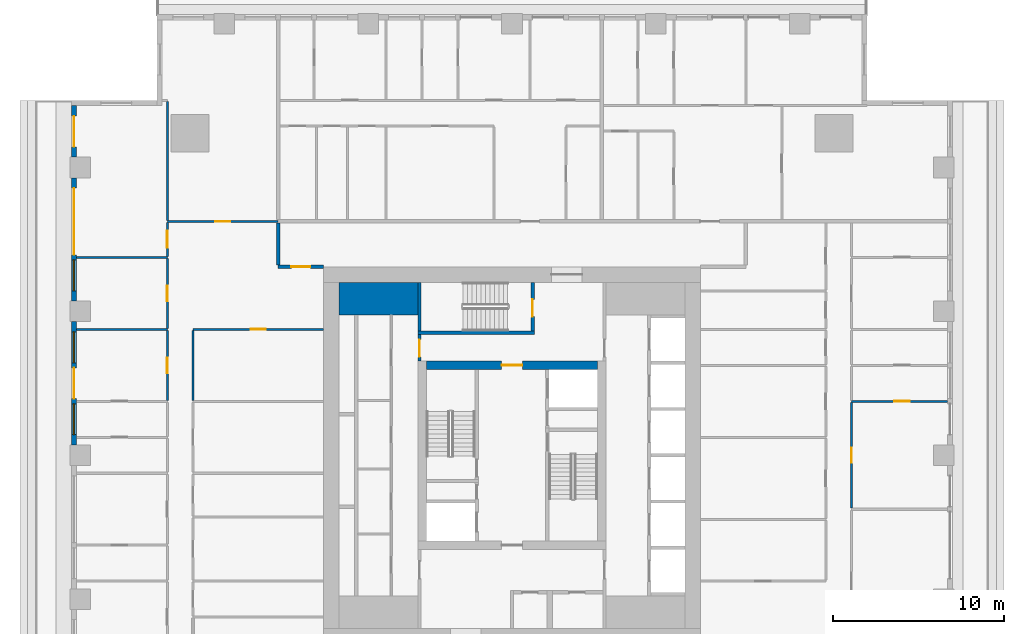
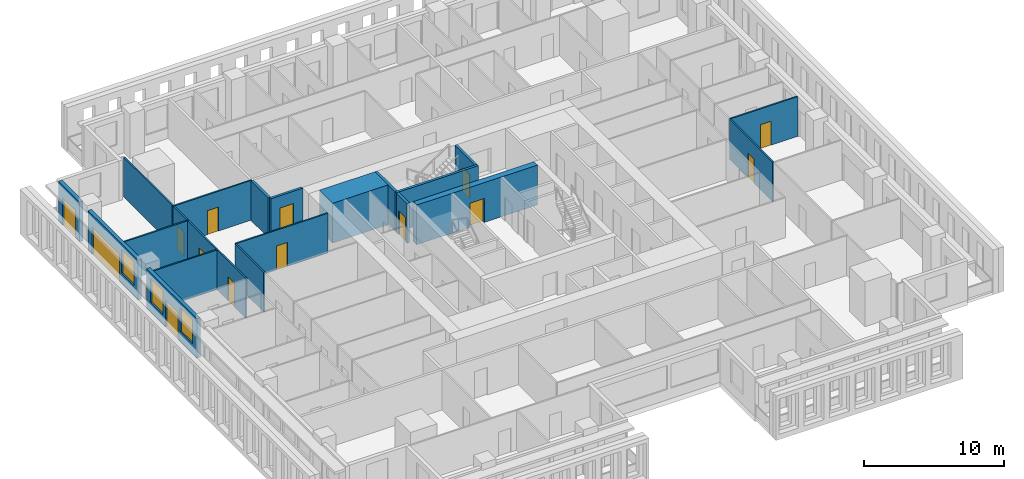
# One storey, part 6 of 15: 22 walls, 14 doors, 3 windows, 17 openings.
"""IFC4 building model written with IfcOpenShell, lengths in metres."""

from ifc_helpers import new_model, si_unit, direction, frame, frame_2d, origin, place, context, subcontext, project, spatial, rectangle, extrude, material, layer, layer_set, type_object, element, fill, save


model = new_model("IFC4")

# Units and contexts
model_context = context("Model", 3, precision=1e-05, world=origin(), true_north=direction((0.0, 1.0)))
body_context = subcontext(model_context, "Body", "Model", "MODEL_VIEW")
ifc_project = project(units=[si_unit("LENGTHUNIT", "METRE"), si_unit("AREAUNIT", "SQUARE_METRE"), si_unit("VOLUMEUNIT", "CUBIC_METRE"), si_unit("PLANEANGLEUNIT", "RADIAN"), si_unit("MASSUNIT", "GRAM", prefix="KILO")], contexts=[model_context])

# Site, building, storey
site_placement = place(None, origin())
site = spatial("IfcSite", under=ifc_project, at=site_placement, CompositionType="ELEMENT")
building_placement = place(site_placement, origin())
building = spatial("IfcBuilding", under=site, at=building_placement, Name="Khepri Terraces", CompositionType="ELEMENT")
storey_placement = place(building_placement, frame((0.0, 0.0, 252.300048828125)))
storey = spatial("IfcBuildingStorey", under=building, at=storey_placement, Name="L60", CompositionType="ELEMENT", Elevation=252.300048828125)

# Walls
ifc_material_1 = material(Name="Concrete C40/50", Category="concrete")
ifc_layer_1 = layer(ifc_material_1, 1.89990234375, Name="Concrete C40/50", Category="concrete")
ifc_layer_set_1 = layer_set([ifc_layer_1], Name="Concrete C40/50")
wall_type_1 = type_object("IfcWallType", Name="Core wall 1900 C40/50", PredefinedType="SHEAR", material=ifc_layer_set_1)
wall_1_placement = place(storey_placement, frame((-10.10009765625, 9.14990234375, 0.0), z_axis=(0.0, 0.0, 1.0), x_axis=(1.0, 0.0, 0.0)))
element("IfcWall", 1, at=wall_1_placement, inside=storey, type_object=wall_type_1, Name="Core wall PR03 L60", PredefinedType="SHEAR", context=body_context, shape_type="SweptSolid", body=[
    extrude(rectangle(XDim=4.60009765625, YDim=1.89990234375, at=frame_2d((2.300048828125, 0.0))), origin(), (0.0, 0.0, 1.0), 3.47998046875),
])
ifc_layer_2 = layer(ifc_material_1, 0.199951171875, Name="Concrete C40/50", Category="concrete")
ifc_layer_set_2 = layer_set([ifc_layer_2], Name="Concrete C40/50")
wall_type_2 = type_object("IfcWallType", Name="Core wall 200 C40/50", PredefinedType="SHEAR", material=ifc_layer_set_2)
wall_2_placement = place(storey_placement, frame((-5.5, 7.14990234375, 0.0), z_axis=(0.0, 0.0, 1.0), x_axis=(1.0, 0.0, 0.0)))
element("IfcWall", 2, at=wall_2_placement, inside=storey, type_object=wall_type_2, Name="Core wall ST05 L60", PredefinedType="SHEAR", context=body_context, shape_type="SweptSolid", body=[
    extrude(rectangle(XDim=6.800048828125, YDim=0.199951171875, at=frame_2d((3.39990234375, 0.0))), origin(), (0.0, 0.0, 1.0), 3.47998046875),
])
wall_3_placement = place(storey_placement, frame((-5.39990234375, 7.25, 0.0), z_axis=(0.0, 0.0, 1.0), x_axis=(0.0, 1.0, 0.0)))
element("IfcWall", 3, at=wall_3_placement, inside=storey, type_object=wall_type_2, Name="Core wall ST06 L60", PredefinedType="SHEAR", context=body_context, shape_type="SweptSolid", body=[
    extrude(rectangle(XDim=2.85009765625, YDim=0.199951171875, at=frame_2d((1.425048828125, 0.0))), origin(), (0.0, 0.0, 1.0), 3.47998046875),
])

# Wall, opening, door
wall_4_placement = place(storey_placement, frame((1.199951171875, 7.25, 0.0), z_axis=(0.0, 0.0, 1.0), x_axis=(0.0, 1.0, 0.0)))
wall_4 = element("IfcWall", 4, at=wall_4_placement, inside=storey, type_object=wall_type_2, Name="Core wall ST07 L60", PredefinedType="SHEAR", context=body_context, shape_type="SweptSolid", body=[
    extrude(rectangle(XDim=2.85009765625, YDim=0.199951171875, at=frame_2d((1.425048828125, 0.0))), origin(), (0.0, 0.0, 1.0), 3.47998046875),
])
opening_1_placement = place(wall_4_placement, frame((0.85009765625, 0.0, 0.0)))
opening_1 = element("IfcOpeningElement", 5, at=opening_1_placement, cuts=wall_4, Name="Opening L60-C15", PredefinedType="OPENING", context=body_context, shape_type="SweptSolid", body=[
    extrude(rectangle(XDim=1.0, YDim=2.10009765625, at=frame_2d((0.5, 1.050048828125))), frame((0.0, 0.10986328125, 0.0), z_axis=(0.0, -1.0, 0.0), x_axis=(1.0, 0.0, 0.0)), (0.0, 0.0, 1.0), 0.219970703125),
])
ifc_material_2 = material(Name="Painted steel", Category="steel")
door_type_1 = type_object("IfcDoorType", Name="DR-CORE-STAIR-1000", OperationType="NOTDEFINED", PredefinedType="DOOR", material=ifc_material_2)
door_1_placement = place(opening_1_placement, origin())
door_1 = element("IfcDoor", 6, at=door_1_placement, inside=storey, type_object=door_type_1, Name="Stair door L60-C15", OperationType="SINGLE_SWING_LEFT", OverallHeight=2.10009765625, OverallWidth=1.0, PredefinedType="DOOR", context=body_context, shape_type="SweptSolid", body=[
    extrude(rectangle(XDim=1.0, YDim=2.10009765625, at=frame_2d((0.5, 1.050048828125))), frame((0.0, 0.02490234375, 0.0), z_axis=(0.0, -1.0, 0.0), x_axis=(1.0, 0.0, 0.0)), (0.0, 0.0, 1.0), 0.050048828125),
])
fill(opening_1, door_1)

ifc_layer_3 = layer(ifc_material_1, 0.5, Name="Concrete C40/50", Category="concrete")
ifc_layer_set_3 = layer_set([ifc_layer_3], Name="Concrete C40/50")
wall_type_3 = type_object("IfcWallType", Name="Core wall 500 C40/50", PredefinedType="SHEAR", material=ifc_layer_set_3)
wall_5_placement = place(storey_placement, frame((-5.0, 5.25, 0.0), z_axis=(0.0, 0.0, 1.0), x_axis=(1.0, 0.0, 0.0)))
wall_5 = element("IfcWall", 7, at=wall_5_placement, inside=storey, type_object=wall_type_3, Name="Core wall BX04 L60", PredefinedType="SHEAR", context=body_context, shape_type="SweptSolid", body=[
    extrude(rectangle(XDim=10.0, YDim=0.5, at=frame_2d((5.0, 0.0))), origin(), (0.0, 0.0, 1.0), 3.47998046875),
])
opening_2_placement = place(wall_5_placement, frame((4.39990234375, 0.0, 0.0)))
opening_2 = element("IfcOpeningElement", 8, at=opening_2_placement, cuts=wall_5, Name="Opening L60-C13", PredefinedType="OPENING", context=body_context, shape_type="SweptSolid", body=[
    extrude(rectangle(XDim=1.199951171875, YDim=2.10009765625, at=frame_2d((0.60009765625, 1.050048828125))), frame((0.0, 0.260009765625, 0.0), z_axis=(0.0, -1.0, 0.0), x_axis=(1.0, 0.0, 0.0)), (0.0, 0.0, 1.0), 0.52001953125),
])
door_type_2 = type_object("IfcDoorType", Name="DR-CORE-FF-LOBBY-1200", OperationType="NOTDEFINED", PredefinedType="DOOR", material=ifc_material_2)
door_2_placement = place(opening_2_placement, frame((1.199951171875, 0.0, 0.0), z_axis=(0.0, 0.0, 1.0), x_axis=(-1.0, 0.0, 0.0)))
door_2 = element("IfcDoor", 9, at=door_2_placement, inside=storey, type_object=door_type_2, Name="Firefighting lobby door L60-C13", OperationType="SINGLE_SWING_LEFT", OverallHeight=2.10009765625, OverallWidth=1.199951171875, PredefinedType="DOOR", context=body_context, shape_type="SweptSolid", body=[
    extrude(rectangle(XDim=1.199951171875, YDim=2.10009765625, at=frame_2d((0.60009765625, 1.050048828125))), frame((0.0, 0.02490234375, 0.0), z_axis=(0.0, -1.0, 0.0), x_axis=(1.0, 0.0, 0.0)), (0.0, 0.0, 1.0), 0.050048828125),
])
fill(opening_2, door_2)

ifc_material_3 = material(Name="Fire-rated gypsum board partition")
ifc_layer_4 = layer(ifc_material_3, 0.199951171875, Name="Fire-rated gypsum board partition")
ifc_layer_set_4 = layer_set([ifc_layer_4], Name="Fire-rated gypsum board partition")
wall_type_4 = type_object("IfcWallType", Name="WL-CORE-PART-200", PredefinedType="PARTITIONING", material=ifc_layer_set_4)
wall_6_placement = place(storey_placement, frame((-5.39990234375, 5.5, 0.0), z_axis=(0.0, 0.0, 1.0), x_axis=(0.0, 1.0, 0.0)))
wall_6 = element("IfcWall", 10, at=wall_6_placement, inside=storey, type_object=wall_type_4, Name="Core partition PT11 L60", PredefinedType="PARTITIONING", context=body_context, shape_type="SweptSolid", body=[
    extrude(rectangle(XDim=1.550048828125, YDim=0.199951171875, at=frame_2d((0.77490234375, 0.0))), origin(), (0.0, 0.0, 1.0), 3.47998046875),
])
opening_3_placement = place(wall_6_placement, frame((0.25, 0.0, 0.0)))
opening_3 = element("IfcOpeningElement", 11, at=opening_3_placement, cuts=wall_6, Name="Opening L60-C16", PredefinedType="OPENING", context=body_context, shape_type="SweptSolid", body=[
    extrude(rectangle(XDim=1.0, YDim=2.10009765625, at=frame_2d((0.5, 1.050048828125))), frame((0.0, 0.10986328125, 0.0), z_axis=(0.0, -1.0, 0.0), x_axis=(1.0, 0.0, 0.0)), (0.0, 0.0, 1.0), 0.219970703125),
])
door_type_3 = type_object("IfcDoorType", Name="DR-CORE-LOBBY-1000", OperationType="NOTDEFINED", PredefinedType="DOOR", material=ifc_material_2)
door_3_placement = place(opening_3_placement, frame((1.0, 0.0, 0.0), z_axis=(0.0, 0.0, 1.0), x_axis=(-1.0, 0.0, 0.0)))
door_3 = element("IfcDoor", 12, at=door_3_placement, inside=storey, type_object=door_type_3, Name="Lobby door L60-C16", OperationType="SINGLE_SWING_RIGHT", OverallHeight=2.10009765625, OverallWidth=1.0, PredefinedType="DOOR", context=body_context, shape_type="SweptSolid", body=[
    extrude(rectangle(XDim=1.0, YDim=2.10009765625, at=frame_2d((0.5, 1.050048828125))), frame((0.0, 0.02490234375, 0.0), z_axis=(0.0, -1.0, 0.0), x_axis=(1.0, 0.0, 0.0)), (0.0, 0.0, 1.0), 0.050048828125),
])
fill(opening_3, door_3)

ifc_material_4 = material(Name="Fire-rated gypsum plasterboard partition, mineral wool")
ifc_layer_5 = layer(ifc_material_4, 0.199951171875, Name="Fire-rated gypsum plasterboard partition, mineral wool")
ifc_layer_set_5 = layer_set([ifc_layer_5], Name="Fire-rated gypsum plasterboard partition, mineral wool")
wall_type_5 = type_object("IfcWallType", Name="WL-CORR-200", PredefinedType="PARTITIONING", material=ifc_layer_set_5)
wall_7_placement = place(storey_placement, frame((-13.64990234375, 11.0, 0.0), z_axis=(0.0, 0.0, 1.0), x_axis=(1.0, 0.0, 0.0)))
wall_7 = element("IfcWall", 13, at=wall_7_placement, inside=storey, type_object=wall_type_5, Name="Partition P-072 L60", PredefinedType="PARTITIONING", context=body_context, shape_type="SweptSolid", body=[
    extrude(rectangle(XDim=2.64990234375, YDim=0.199951171875, at=frame_2d((1.324951171875, 0.0))), origin(), (0.0, 0.0, 1.0), 3.47998046875),
])
opening_4_placement = place(wall_7_placement, frame((0.77490234375, 0.0, 0.0)))
opening_4 = element("IfcOpeningElement", 14, at=opening_4_placement, cuts=wall_7, Name="Opening D1", PredefinedType="OPENING", context=body_context, shape_type="SweptSolid", body=[
    extrude(rectangle(XDim=1.10009765625, YDim=2.39990234375, at=frame_2d((0.550048828125, 1.199951171875))), frame((0.0, 0.10986328125, 0.0), z_axis=(0.0, -1.0, 0.0), x_axis=(1.0, 0.0, 0.0)), (0.0, 0.0, 1.0), 0.219970703125),
])
ifc_material_5 = material(Name="Solid-core timber door leaf, flat entrance door", Category="wood")
door_type_4 = type_object("IfcDoorType", Name="DR-ENT-1100", OperationType="NOTDEFINED", PredefinedType="DOOR", material=ifc_material_5)
door_4_placement = place(opening_4_placement, frame((1.10009765625, 0.0, 0.0), z_axis=(0.0, 0.0, 1.0), x_axis=(-1.0, 0.0, 0.0)))
door_4 = element("IfcDoor", 15, at=door_4_placement, inside=storey, type_object=door_type_4, Name="Flat D1 entrance door", OperationType="SINGLE_SWING_LEFT", OverallHeight=2.39990234375, OverallWidth=1.10009765625, PredefinedType="DOOR", context=body_context, shape_type="SweptSolid", body=[
    extrude(rectangle(XDim=1.10009765625, YDim=2.39990234375, at=frame_2d((0.550048828125, 1.199951171875))), frame((0.0, 0.02490234375, 0.0), z_axis=(0.0, -1.0, 0.0), x_axis=(1.0, 0.0, 0.0)), (0.0, 0.0, 1.0), 0.050048828125),
])
fill(opening_4, door_4)

# Wall
wall_8_placement = place(storey_placement, frame((-13.64990234375, 11.10009765625, 0.0), z_axis=(0.0, 0.0, 1.0), x_axis=(0.0, 1.0, 0.0)))
element("IfcWall", 16, at=wall_8_placement, inside=storey, type_object=wall_type_5, Name="Partition P-074 L60", PredefinedType="PARTITIONING", context=body_context, shape_type="SweptSolid", body=[
    extrude(rectangle(XDim=2.449951171875, YDim=0.199951171875, at=frame_2d((1.22509765625, 0.0))), origin(), (0.0, 0.0, 1.0), 3.47998046875),
])

# Wall, opening, door
ifc_material_6 = material(Name="Precast concrete C50/60 warm stone", Category="masonry")
ifc_layer_6 = layer(ifc_material_6, 0.300048828125, Name="Precast concrete C50/60 warm stone", Category="masonry")
ifc_layer_set_6 = layer_set([ifc_layer_6], Name="Precast concrete C50/60 warm stone")
wall_type_6 = type_object("IfcWallType", Name="WL-EXT-PRECAST-300", PredefinedType="STANDARD", material=ifc_layer_set_6)
wall_9_placement = place(storey_placement, frame((-25.570068359375, 20.419921875, 0.0), z_axis=(0.0, 0.0, 1.0), x_axis=(0.0, -1.0, 0.0)))
wall_9 = element("IfcWall", 17, at=wall_9_placement, inside=storey, type_object=wall_type_6, Name="External wall L60 W", PredefinedType="STANDARD", context=body_context, shape_type="SweptSolid", body=[
    extrude(rectangle(XDim=3.02001953125, YDim=0.300048828125, at=frame_2d((1.510009765625, 0.0))), origin(), (0.0, 0.0, 1.0), 3.47998046875),
])
opening_5_placement = place(wall_9_placement, frame((0.6201171875, 0.0, 0.0)))
opening_5 = element("IfcOpeningElement", 18, at=opening_5_placement, cuts=wall_9, Name="Opening ED-L60-12", PredefinedType="OPENING", context=body_context, shape_type="SweptSolid", body=[
    extrude(rectangle(XDim=1.800048828125, YDim=2.39990234375, at=frame_2d((0.89990234375, 1.199951171875))), frame((0.0, 0.16015625, 0.0), z_axis=(0.0, -1.0, 0.0), x_axis=(1.0, 0.0, 0.0)), (0.0, 0.0, 1.0), 0.320068359375),
])
ifc_material_7 = material(Name="Anodised aluminium bronze glazed door", Category="aluminium")
door_type_5 = type_object("IfcDoorType", Name="DR-BAL-SLIDE-1800x2400", OperationType="NOTDEFINED", PredefinedType="DOOR", material=ifc_material_7)
door_5_placement = place(opening_5_placement, origin())
door_5 = element("IfcDoor", 19, at=door_5_placement, inside=storey, type_object=door_type_5, Name="Balcony door L60 W", OperationType="SLIDING_TO_RIGHT", OverallHeight=2.39990234375, OverallWidth=1.800048828125, PredefinedType="DOOR", context=body_context, shape_type="SweptSolid", body=[
    extrude(rectangle(XDim=1.800048828125, YDim=2.39990234375, at=frame_2d((0.89990234375, 1.199951171875))), frame((0.0, 0.02490234375, 0.0), z_axis=(0.0, -1.0, 0.0), x_axis=(1.0, 0.0, 0.0)), (0.0, 0.0, 1.0), 0.050048828125),
])
fill(opening_5, door_5)

# Wall, openings, door, window
wall_10_placement = place(storey_placement, frame((-25.570068359375, 16.199951171875, 0.0), z_axis=(0.0, 0.0, 1.0), x_axis=(0.0, -1.0, 0.0)))
wall_10 = element("IfcWall", 20, at=wall_10_placement, inside=storey, type_object=wall_type_6, Name="External wall L60 W", PredefinedType="STANDARD", context=body_context, shape_type="SweptSolid", body=[
    extrude(rectangle(XDim=7.199951171875, YDim=0.300048828125, at=frame_2d((3.60009765625, 0.0))), origin(), (0.0, 0.0, 1.0), 3.47998046875),
])
opening_6_placement = place(wall_10_placement, frame((0.60009765625, 0.0, 0.0)))
opening_6 = element("IfcOpeningElement", 21, at=opening_6_placement, cuts=wall_10, Name="Opening ED-L60-13", PredefinedType="OPENING", context=body_context, shape_type="SweptSolid", body=[
    extrude(rectangle(XDim=3.89990234375, YDim=2.39990234375, at=frame_2d((1.949951171875, 1.199951171875))), frame((0.0, 0.16015625, 0.0), z_axis=(0.0, -1.0, 0.0), x_axis=(1.0, 0.0, 0.0)), (0.0, 0.0, 1.0), 0.320068359375),
])
opening_7_placement = place(wall_10_placement, frame((4.800048828125, 0.0, 0.89990234375)))
opening_7 = element("IfcOpeningElement", 22, at=opening_7_placement, cuts=wall_10, Name="Opening W1", PredefinedType="OPENING", context=body_context, shape_type="SweptSolid", body=[
    extrude(rectangle(XDim=1.800048828125, YDim=2.10009765625, at=frame_2d((0.89990234375, 1.050048828125))), frame((0.0, 0.16015625, 0.0), z_axis=(0.0, -1.0, 0.0), x_axis=(1.0, 0.0, 0.0)), (0.0, 0.0, 1.0), 0.320068359375),
])
door_type_6 = type_object("IfcDoorType", Name="DR-BAL-SLIDE-3900x2400", OperationType="NOTDEFINED", PredefinedType="DOOR", material=ifc_material_7)
door_6_placement = place(opening_6_placement, origin())
door_6 = element("IfcDoor", 23, at=door_6_placement, inside=storey, type_object=door_type_6, Name="Balcony door L60 W", OperationType="SLIDING_TO_LEFT", OverallHeight=2.39990234375, OverallWidth=3.89990234375, PredefinedType="DOOR", context=body_context, shape_type="SweptSolid", body=[
    extrude(rectangle(XDim=3.89990234375, YDim=2.39990234375, at=frame_2d((1.949951171875, 1.199951171875))), frame((0.0, 0.02490234375, 0.0), z_axis=(0.0, -1.0, 0.0), x_axis=(1.0, 0.0, 0.0)), (0.0, 0.0, 1.0), 0.050048828125),
])
fill(opening_6, door_6)
ifc_material_8 = material(Name="Clear glass", Category="glass")
window_type = type_object("IfcWindowType", Name="WIN-RES-1800x2100", PartitioningType="SINGLE_PANEL", PredefinedType="WINDOW", material=ifc_material_8)
window_1_placement = place(opening_7_placement, origin())
window_1 = element("IfcWindow", 24, at=window_1_placement, inside=storey, type_object=window_type, Name="Window L60 W", OverallHeight=2.10009765625, OverallWidth=1.800048828125, PartitioningType="SINGLE_PANEL", PredefinedType="WINDOW", context=body_context, shape_type="SweptSolid", body=[
    extrude(rectangle(XDim=1.800048828125, YDim=2.10009765625, at=frame_2d((0.89990234375, 1.050048828125))), frame((0.0, 0.030029296875, 0.0), z_axis=(0.0, -1.0, 0.0), x_axis=(1.0, 0.0, 0.0)), (0.0, 0.0, 1.0), 0.06005859375),
])
fill(opening_7, window_1)

# Wall, openings, door, windows
wall_11_placement = place(storey_placement, frame((-25.570068359375, 7.800048828125, 0.0), z_axis=(0.0, 0.0, 1.0), x_axis=(0.0, -1.0, 0.0)))
wall_11 = element("IfcWall", 25, at=wall_11_placement, inside=storey, type_object=wall_type_6, Name="External wall L60 W", PredefinedType="STANDARD", context=body_context, shape_type="SweptSolid", body=[
    extrude(rectangle(XDim=7.199951171875, YDim=0.300048828125, at=frame_2d((3.60009765625, 0.0))), origin(), (0.0, 0.0, 1.0), 3.47998046875),
])
opening_8_placement = place(wall_11_placement, frame((0.60009765625, 0.0, 0.89990234375)))
opening_8 = element("IfcOpeningElement", 26, at=opening_8_placement, cuts=wall_11, Name="Opening W1", PredefinedType="OPENING", context=body_context, shape_type="SweptSolid", body=[
    extrude(rectangle(XDim=1.800048828125, YDim=2.10009765625, at=frame_2d((0.89990234375, 1.050048828125))), frame((0.0, 0.16015625, 0.0), z_axis=(0.0, -1.0, 0.0), x_axis=(1.0, 0.0, 0.0)), (0.0, 0.0, 1.0), 0.320068359375),
])
opening_9_placement = place(wall_11_placement, frame((2.699951171875, 0.0, 0.0)))
opening_9 = element("IfcOpeningElement", 27, at=opening_9_placement, cuts=wall_11, Name="Opening ED-L60-14", PredefinedType="OPENING", context=body_context, shape_type="SweptSolid", body=[
    extrude(rectangle(XDim=1.800048828125, YDim=2.39990234375, at=frame_2d((0.89990234375, 1.199951171875))), frame((0.0, 0.16015625, 0.0), z_axis=(0.0, -1.0, 0.0), x_axis=(1.0, 0.0, 0.0)), (0.0, 0.0, 1.0), 0.320068359375),
])
opening_10_placement = place(wall_11_placement, frame((4.800048828125, 0.0, 0.89990234375)))
opening_10 = element("IfcOpeningElement", 28, at=opening_10_placement, cuts=wall_11, Name="Opening W1", PredefinedType="OPENING", context=body_context, shape_type="SweptSolid", body=[
    extrude(rectangle(XDim=1.800048828125, YDim=2.10009765625, at=frame_2d((0.89990234375, 1.050048828125))), frame((0.0, 0.16015625, 0.0), z_axis=(0.0, -1.0, 0.0), x_axis=(1.0, 0.0, 0.0)), (0.0, 0.0, 1.0), 0.320068359375),
])
door_7_placement = place(opening_9_placement, origin())
door_7 = element("IfcDoor", 29, at=door_7_placement, inside=storey, type_object=door_type_5, Name="Balcony door L60 W", OperationType="SLIDING_TO_LEFT", OverallHeight=2.39990234375, OverallWidth=1.800048828125, PredefinedType="DOOR", context=body_context, shape_type="SweptSolid", body=[
    extrude(rectangle(XDim=1.800048828125, YDim=2.39990234375, at=frame_2d((0.89990234375, 1.199951171875))), frame((0.0, 0.02490234375, 0.0), z_axis=(0.0, -1.0, 0.0), x_axis=(1.0, 0.0, 0.0)), (0.0, 0.0, 1.0), 0.050048828125),
])
fill(opening_9, door_7)
window_2_placement = place(opening_8_placement, origin())
window_2 = element("IfcWindow", 30, at=window_2_placement, inside=storey, type_object=window_type, Name="Window L60 W", OverallHeight=2.10009765625, OverallWidth=1.800048828125, PartitioningType="SINGLE_PANEL", PredefinedType="WINDOW", context=body_context, shape_type="SweptSolid", body=[
    extrude(rectangle(XDim=1.800048828125, YDim=2.10009765625, at=frame_2d((0.89990234375, 1.050048828125))), frame((0.0, 0.030029296875, 0.0), z_axis=(0.0, -1.0, 0.0), x_axis=(1.0, 0.0, 0.0)), (0.0, 0.0, 1.0), 0.06005859375),
])
fill(opening_8, window_2)
window_3_placement = place(opening_10_placement, origin())
window_3 = element("IfcWindow", 31, at=window_3_placement, inside=storey, type_object=window_type, Name="Window L60 W", OverallHeight=2.10009765625, OverallWidth=1.800048828125, PartitioningType="SINGLE_PANEL", PredefinedType="WINDOW", context=body_context, shape_type="SweptSolid", body=[
    extrude(rectangle(XDim=1.800048828125, YDim=2.10009765625, at=frame_2d((0.89990234375, 1.050048828125))), frame((0.0, 0.030029296875, 0.0), z_axis=(0.0, -1.0, 0.0), x_axis=(1.0, 0.0, 0.0)), (0.0, 0.0, 1.0), 0.06005859375),
])
fill(opening_10, window_3)

# Wall, opening, door
ifc_material_9 = material(Name="Gypsum plasterboard partition")
ifc_layer_7 = layer(ifc_material_9, 0.1201171875, Name="Gypsum plasterboard partition")
ifc_layer_set_7 = layer_set([ifc_layer_7], Name="Gypsum plasterboard partition")
wall_type_7 = type_object("IfcWallType", Name="WL-PART-120", PredefinedType="PARTITIONING", material=ifc_layer_set_7)
wall_12_placement = place(storey_placement, frame((19.820068359375, -3.090087890625, 0.0), z_axis=(0.0, 0.0, 1.0), x_axis=(0.0, 1.0, 0.0)))
wall_12 = element("IfcWall", 32, at=wall_12_placement, inside=storey, type_object=wall_type_7, Name="Partition P-044 L60", PredefinedType="PARTITIONING", context=body_context, shape_type="SweptSolid", body=[
    extrude(rectangle(XDim=6.18017578125, YDim=0.1201171875, at=frame_2d((3.090087890625, 0.0))), origin(), (0.0, 0.0, 1.0), 3.47998046875),
])
opening_11_placement = place(wall_12_placement, frame((2.639892578125, 0.0, 0.0)))
opening_11 = element("IfcOpeningElement", 33, at=opening_11_placement, cuts=wall_12, Name="Opening D3", PredefinedType="OPENING", context=body_context, shape_type="SweptSolid", body=[
    extrude(rectangle(XDim=0.89990234375, YDim=2.10009765625, at=frame_2d((0.449951171875, 1.050048828125))), frame((0.0, 0.070068359375, 0.0), z_axis=(0.0, -1.0, 0.0), x_axis=(1.0, 0.0, 0.0)), (0.0, 0.0, 1.0), 0.14013671875),
])
ifc_material_10 = material(Name="Timber door leaf", Category="wood")
door_type_7 = type_object("IfcDoorType", Name="DR-INT-900", OperationType="NOTDEFINED", PredefinedType="DOOR", material=ifc_material_10)
door_8_placement = place(opening_11_placement, frame((0.89990234375, 0.0, 0.0), z_axis=(0.0, 0.0, 1.0), x_axis=(-1.0, 0.0, 0.0)))
door_8 = element("IfcDoor", 34, at=door_8_placement, inside=storey, type_object=door_type_7, Name="Door Master Bedroom", OperationType="SINGLE_SWING_LEFT", OverallHeight=2.10009765625, OverallWidth=0.89990234375, PredefinedType="DOOR", context=body_context, shape_type="SweptSolid", body=[
    extrude(rectangle(XDim=0.89990234375, YDim=2.10009765625, at=frame_2d((0.449951171875, 1.050048828125))), frame((0.0, 0.02490234375, 0.0), z_axis=(0.0, -1.0, 0.0), x_axis=(1.0, 0.0, 0.0)), (0.0, 0.0, 1.0), 0.050048828125),
])
fill(opening_11, door_8)

wall_13_placement = place(storey_placement, frame((19.820068359375, 3.14990234375, 0.0), z_axis=(0.0, 0.0, 1.0), x_axis=(1.0, 0.0, 0.0)))
wall_13 = element("IfcWall", 35, at=wall_13_placement, inside=storey, type_object=wall_type_7, Name="Partition P-055 L60", PredefinedType="PARTITIONING", context=body_context, shape_type="SweptSolid", body=[
    extrude(rectangle(XDim=5.599853515625, YDim=0.1201171875, at=frame_2d((2.7998046875, 0.0))), origin(), (0.0, 0.0, 1.0), 3.47998046875),
])
opening_12_placement = place(wall_13_placement, frame((2.5, 0.0, 0.0)))
opening_12 = element("IfcOpeningElement", 36, at=opening_12_placement, cuts=wall_13, Name="Opening D3", PredefinedType="OPENING", context=body_context, shape_type="SweptSolid", body=[
    extrude(rectangle(XDim=0.89990234375, YDim=2.10009765625, at=frame_2d((0.449951171875, 1.050048828125))), frame((0.0, 0.070068359375, 0.0), z_axis=(0.0, -1.0, 0.0), x_axis=(1.0, 0.0, 0.0)), (0.0, 0.0, 1.0), 0.14013671875),
])
door_9_placement = place(opening_12_placement, origin())
door_9 = element("IfcDoor", 37, at=door_9_placement, inside=storey, type_object=door_type_7, Name="Door Dressing Room", OperationType="SINGLE_SWING_RIGHT", OverallHeight=2.10009765625, OverallWidth=0.89990234375, PredefinedType="DOOR", context=body_context, shape_type="SweptSolid", body=[
    extrude(rectangle(XDim=0.89990234375, YDim=2.10009765625, at=frame_2d((0.449951171875, 1.050048828125))), frame((0.0, 0.02490234375, 0.0), z_axis=(0.0, -1.0, 0.0), x_axis=(1.0, 0.0, 0.0)), (0.0, 0.0, 1.0), 0.050048828125),
])
fill(opening_12, door_9)

wall_14_placement = place(storey_placement, frame((-20.1201171875, 3.2099609375, 0.0), z_axis=(0.0, 0.0, 1.0), x_axis=(0.0, 1.0, 0.0)))
wall_14 = element("IfcWall", 38, at=wall_14_placement, inside=storey, type_object=wall_type_7, Name="Partition P-056 L60", PredefinedType="PARTITIONING", context=body_context, shape_type="SweptSolid", body=[
    extrude(rectangle(XDim=4.080078125, YDim=0.1201171875, at=frame_2d((2.0400390625, 0.0))), origin(), (0.0, 0.0, 1.0), 3.47998046875),
])
opening_13_placement = place(wall_14_placement, frame((1.590087890625, 0.0, 0.0)))
opening_13 = element("IfcOpeningElement", 39, at=opening_13_placement, cuts=wall_14, Name="Opening D3", PredefinedType="OPENING", context=body_context, shape_type="SweptSolid", body=[
    extrude(rectangle(XDim=0.89990234375, YDim=2.10009765625, at=frame_2d((0.449951171875, 1.050048828125))), frame((0.0, 0.070068359375, 0.0), z_axis=(0.0, -1.0, 0.0), x_axis=(1.0, 0.0, 0.0)), (0.0, 0.0, 1.0), 0.14013671875),
])
door_10_placement = place(opening_13_placement, origin())
door_10 = element("IfcDoor", 40, at=door_10_placement, inside=storey, type_object=door_type_7, Name="Door Master Bedroom", OperationType="SINGLE_SWING_RIGHT", OverallHeight=2.10009765625, OverallWidth=0.89990234375, PredefinedType="DOOR", context=body_context, shape_type="SweptSolid", body=[
    extrude(rectangle(XDim=0.89990234375, YDim=2.10009765625, at=frame_2d((0.449951171875, 1.050048828125))), frame((0.0, 0.02490234375, 0.0), z_axis=(0.0, -1.0, 0.0), x_axis=(1.0, 0.0, 0.0)), (0.0, 0.0, 1.0), 0.050048828125),
])
fill(opening_13, door_10)

# Walls
wall_15_placement = place(storey_placement, frame((-18.6201171875, 3.2099609375, 0.0), z_axis=(0.0, 0.0, 1.0), x_axis=(0.0, 1.0, 0.0)))
element("IfcWall", 41, at=wall_15_placement, inside=storey, type_object=wall_type_7, Name="Partition P-057 L60", PredefinedType="PARTITIONING", context=body_context, shape_type="SweptSolid", body=[
    extrude(rectangle(XDim=4.080078125, YDim=0.1201171875, at=frame_2d((2.0400390625, 0.0))), origin(), (0.0, 0.0, 1.0), 3.47998046875),
])
wall_16_placement = place(storey_placement, frame((-25.419921875, 7.35009765625, 0.0), z_axis=(0.0, 0.0, 1.0), x_axis=(1.0, 0.0, 0.0)))
element("IfcWall", 42, at=wall_16_placement, inside=storey, type_object=wall_type_7, Name="Partition P-063 L60", PredefinedType="PARTITIONING", context=body_context, shape_type="SweptSolid", body=[
    extrude(rectangle(XDim=5.2998046875, YDim=0.1201171875, at=frame_2d((2.64990234375, 0.0))), origin(), (0.0, 0.0, 1.0), 3.47998046875),
])

# Wall, opening, door
wall_17_placement = place(storey_placement, frame((-18.6201171875, 7.35009765625, 0.0), z_axis=(0.0, 0.0, 1.0), x_axis=(1.0, 0.0, 0.0)))
wall_17 = element("IfcWall", 43, at=wall_17_placement, inside=storey, type_object=wall_type_7, Name="Partition P-064 L60", PredefinedType="PARTITIONING", context=body_context, shape_type="SweptSolid", body=[
    extrude(rectangle(XDim=7.6201171875, YDim=0.1201171875, at=frame_2d((3.81005859375, 0.0))), origin(), (0.0, 0.0, 1.0), 3.47998046875),
])
opening_14_placement = place(wall_17_placement, frame((3.360107421875, 0.0, 0.0)))
opening_14 = element("IfcOpeningElement", 44, at=opening_14_placement, cuts=wall_17, Name="Opening D3", PredefinedType="OPENING", context=body_context, shape_type="SweptSolid", body=[
    extrude(rectangle(XDim=0.89990234375, YDim=2.10009765625, at=frame_2d((0.449951171875, 1.050048828125))), frame((0.0, 0.070068359375, 0.0), z_axis=(0.0, -1.0, 0.0), x_axis=(1.0, 0.0, 0.0)), (0.0, 0.0, 1.0), 0.14013671875),
])
door_11_placement = place(opening_14_placement, frame((0.89990234375, 0.0, 0.0), z_axis=(0.0, 0.0, 1.0), x_axis=(-1.0, 0.0, 0.0)))
door_11 = element("IfcDoor", 45, at=door_11_placement, inside=storey, type_object=door_type_7, Name="Door Kitchen", OperationType="SINGLE_SWING_LEFT", OverallHeight=2.10009765625, OverallWidth=0.89990234375, PredefinedType="DOOR", context=body_context, shape_type="SweptSolid", body=[
    extrude(rectangle(XDim=0.89990234375, YDim=2.10009765625, at=frame_2d((0.449951171875, 1.050048828125))), frame((0.0, 0.02490234375, 0.0), z_axis=(0.0, -1.0, 0.0), x_axis=(1.0, 0.0, 0.0)), (0.0, 0.0, 1.0), 0.050048828125),
])
fill(opening_14, door_11)

wall_18_placement = place(storey_placement, frame((-20.1201171875, 7.409912109375, 0.0), z_axis=(0.0, 0.0, 1.0), x_axis=(0.0, 1.0, 0.0)))
wall_18 = element("IfcWall", 46, at=wall_18_placement, inside=storey, type_object=wall_type_7, Name="Partition P-067 L60", PredefinedType="PARTITIONING", context=body_context, shape_type="SweptSolid", body=[
    extrude(rectangle(XDim=4.080078125, YDim=0.1201171875, at=frame_2d((2.0400390625, 0.0))), origin(), (0.0, 0.0, 1.0), 3.47998046875),
])
opening_15_placement = place(wall_18_placement, frame((1.590087890625, 0.0, 0.0)))
opening_15 = element("IfcOpeningElement", 47, at=opening_15_placement, cuts=wall_18, Name="Opening D3", PredefinedType="OPENING", context=body_context, shape_type="SweptSolid", body=[
    extrude(rectangle(XDim=0.89990234375, YDim=2.10009765625, at=frame_2d((0.449951171875, 1.050048828125))), frame((0.0, 0.070068359375, 0.0), z_axis=(0.0, -1.0, 0.0), x_axis=(1.0, 0.0, 0.0)), (0.0, 0.0, 1.0), 0.14013671875),
])
door_12_placement = place(opening_15_placement, origin())
door_12 = element("IfcDoor", 48, at=door_12_placement, inside=storey, type_object=door_type_7, Name="Door Study", OperationType="SINGLE_SWING_LEFT", OverallHeight=2.10009765625, OverallWidth=0.89990234375, PredefinedType="DOOR", context=body_context, shape_type="SweptSolid", body=[
    extrude(rectangle(XDim=0.89990234375, YDim=2.10009765625, at=frame_2d((0.449951171875, 1.050048828125))), frame((0.0, 0.02490234375, 0.0), z_axis=(0.0, -1.0, 0.0), x_axis=(1.0, 0.0, 0.0)), (0.0, 0.0, 1.0), 0.050048828125),
])
fill(opening_15, door_12)

# Wall
wall_19_placement = place(storey_placement, frame((-25.419921875, 11.550048828125, 0.0), z_axis=(0.0, 0.0, 1.0), x_axis=(1.0, 0.0, 0.0)))
element("IfcWall", 49, at=wall_19_placement, inside=storey, type_object=wall_type_7, Name="Partition P-076 L60", PredefinedType="PARTITIONING", context=body_context, shape_type="SweptSolid", body=[
    extrude(rectangle(XDim=5.2998046875, YDim=0.1201171875, at=frame_2d((2.64990234375, 0.0))), origin(), (0.0, 0.0, 1.0), 3.47998046875),
])

# Wall, opening, door
wall_20_placement = place(storey_placement, frame((-20.1201171875, 11.610107421875, 0.0), z_axis=(0.0, 0.0, 1.0), x_axis=(0.0, 1.0, 0.0)))
wall_20 = element("IfcWall", 50, at=wall_20_placement, inside=storey, type_object=wall_type_7, Name="Partition P-078 L60", PredefinedType="PARTITIONING", context=body_context, shape_type="SweptSolid", body=[
    extrude(rectangle(XDim=1.97998046875, YDim=0.1201171875, at=frame_2d((0.989990234375, 0.0))), origin(), (0.0, 0.0, 1.0), 3.47998046875),
])
opening_16_placement = place(wall_20_placement, frame((0.489990234375, 0.0, 0.0)))
opening_16 = element("IfcOpeningElement", 51, at=opening_16_placement, cuts=wall_20, Name="Opening D2", PredefinedType="OPENING", context=body_context, shape_type="SweptSolid", body=[
    extrude(rectangle(XDim=1.0, YDim=2.10009765625, at=frame_2d((0.5, 1.050048828125))), frame((0.0, 0.070068359375, 0.0), z_axis=(0.0, -1.0, 0.0), x_axis=(1.0, 0.0, 0.0)), (0.0, 0.0, 1.0), 0.14013671875),
])
ifc_material_11 = material(Name="Timber door leaf, living room door", Category="wood")
door_type_8 = type_object("IfcDoorType", Name="DR-INT-1000", OperationType="NOTDEFINED", PredefinedType="DOOR", material=ifc_material_11)
door_13_placement = place(opening_16_placement, origin())
door_13 = element("IfcDoor", 52, at=door_13_placement, inside=storey, type_object=door_type_8, Name="Door Living Room", OperationType="SINGLE_SWING_RIGHT", OverallHeight=2.10009765625, OverallWidth=1.0, PredefinedType="DOOR", context=body_context, shape_type="SweptSolid", body=[
    extrude(rectangle(XDim=1.0, YDim=2.10009765625, at=frame_2d((0.5, 1.050048828125))), frame((0.0, 0.02490234375, 0.0), z_axis=(0.0, -1.0, 0.0), x_axis=(1.0, 0.0, 0.0)), (0.0, 0.0, 1.0), 0.050048828125),
])
fill(opening_16, door_13)

wall_21_placement = place(storey_placement, frame((-20.1201171875, 13.64990234375, 0.0), z_axis=(0.0, 0.0, 1.0), x_axis=(1.0, 0.0, 0.0)))
wall_21 = element("IfcWall", 53, at=wall_21_placement, inside=storey, type_object=wall_type_7, Name="Partition P-080 L60", PredefinedType="PARTITIONING", context=body_context, shape_type="SweptSolid", body=[
    extrude(rectangle(XDim=6.47021484375, YDim=0.1201171875, at=frame_2d((3.235107421875, 0.0))), origin(), (0.0, 0.0, 1.0), 3.47998046875),
])
opening_17_placement = place(wall_21_placement, frame((2.784912109375, 0.0, 0.0)))
opening_17 = element("IfcOpeningElement", 54, at=opening_17_placement, cuts=wall_21, Name="Opening D3", PredefinedType="OPENING", context=body_context, shape_type="SweptSolid", body=[
    extrude(rectangle(XDim=0.89990234375, YDim=2.10009765625, at=frame_2d((0.449951171875, 1.050048828125))), frame((0.0, 0.070068359375, 0.0), z_axis=(0.0, -1.0, 0.0), x_axis=(1.0, 0.0, 0.0)), (0.0, 0.0, 1.0), 0.14013671875),
])
door_14_placement = place(opening_17_placement, origin())
door_14 = element("IfcDoor", 55, at=door_14_placement, inside=storey, type_object=door_type_7, Name="Door Library", OperationType="SINGLE_SWING_LEFT", OverallHeight=2.10009765625, OverallWidth=0.89990234375, PredefinedType="DOOR", context=body_context, shape_type="SweptSolid", body=[
    extrude(rectangle(XDim=0.89990234375, YDim=2.10009765625, at=frame_2d((0.449951171875, 1.050048828125))), frame((0.0, 0.02490234375, 0.0), z_axis=(0.0, -1.0, 0.0), x_axis=(1.0, 0.0, 0.0)), (0.0, 0.0, 1.0), 0.050048828125),
])
fill(opening_17, door_14)

# Wall
wall_22_placement = place(storey_placement, frame((-20.1201171875, 13.7099609375, 0.0), z_axis=(0.0, 0.0, 1.0), x_axis=(0.0, 1.0, 0.0)))
element("IfcWall", 56, at=wall_22_placement, inside=storey, type_object=wall_type_7, Name="Partition P-082 L60", PredefinedType="PARTITIONING", context=body_context, shape_type="SweptSolid", body=[
    extrude(rectangle(XDim=6.948974609375, YDim=0.1201171875, at=frame_2d((3.474609375, 0.0))), origin(), (0.0, 0.0, 1.0), 3.47998046875),
])

save(model, "model.ifc")
